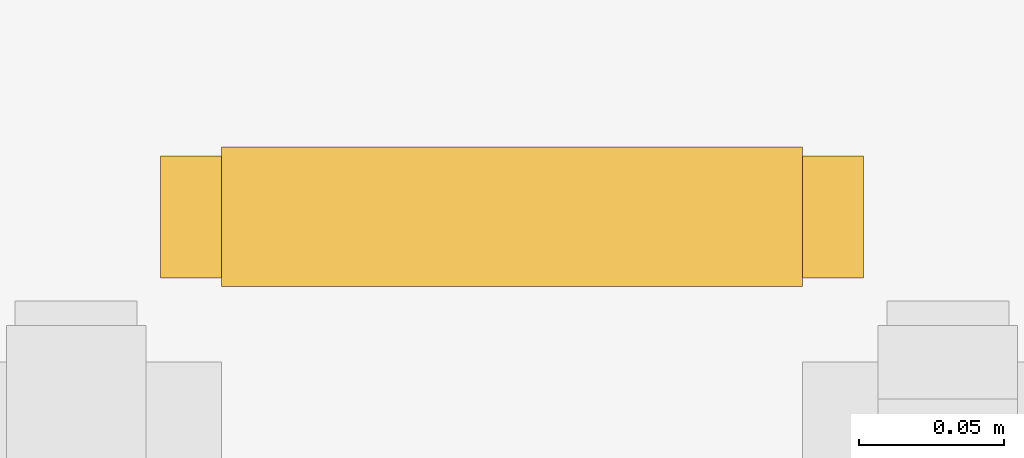
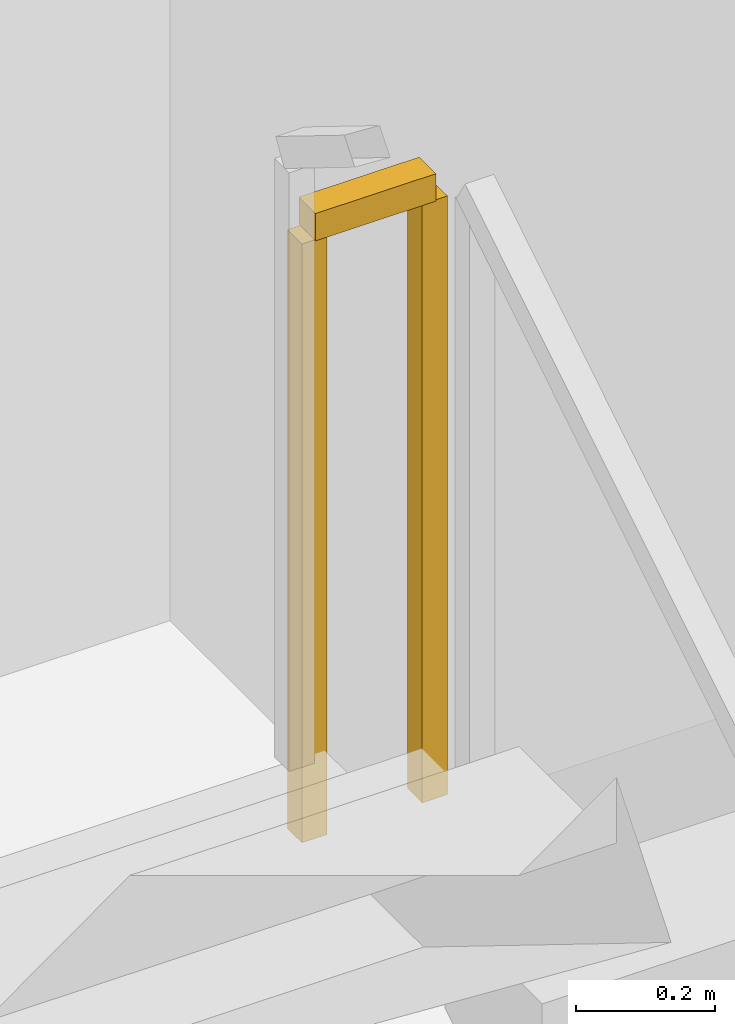
# One storey, part 17 of 23: 1 railing.
"""IFC4 building model written with IfcOpenShell, lengths in metres."""

from ifc_helpers import new_model, si_unit, direction, frame, origin, origin_2d, place, context, subcontext, project, spatial, rectangle, extrude, material, type_object, element, save


model = new_model("IFC4")

# Units and contexts
model_context = context("Model", 3, precision=1e-05, world=origin(), true_north=direction((0.0, 1.0)))
body_context = subcontext(model_context, "Body", "Model", "MODEL_VIEW")
ifc_project = project(units=[si_unit("LENGTHUNIT", "METRE"), si_unit("AREAUNIT", "SQUARE_METRE"), si_unit("VOLUMEUNIT", "CUBIC_METRE"), si_unit("PLANEANGLEUNIT", "RADIAN"), si_unit("MASSUNIT", "GRAM", prefix="KILO")], contexts=[model_context])

# Site, building, storey
site_placement = place(None, origin())
site = spatial("IfcSite", under=ifc_project, at=site_placement, CompositionType="ELEMENT")
building_placement = place(site_placement, origin())
building = spatial("IfcBuilding", under=site, at=building_placement, Name="Kiyonajd Concourse Tower", CompositionType="ELEMENT")
storey_placement = place(building_placement, frame((0.0, 0.0, -9.0)))
storey = spatial("IfcBuildingStorey", under=building, at=storey_placement, Name="B2", CompositionType="ELEMENT", Elevation=-9.0)

# Railing
ifc_material = material(Name="Steel ASTM A500 Grade C", Category="steel")
railing_type = type_object("IfcRailingType", Name="RL-GRD-STR", PredefinedType="GUARDRAIL", material=ifc_material)
railing_placement = place(storey_placement, frame((11.300048828125, 33.06005859375, 2.25)))
element("IfcRailing", 1, at=railing_placement, inside=storey, type_object=railing_type, Name="B2 ST4 stair guard 2", PredefinedType="GUARDRAIL", context=body_context, shape_type="SweptSolid", body=[
    extrude(rectangle(XDim=0.048095703125, YDim=0.048095703125, at=origin_2d()), frame((0.0, 0.0, 1.076171875), z_axis=(-1.0, 0.0, 0.0), x_axis=(0.0, -1.0, 0.0)), (0.0, 0.0, 1.0), 0.199951171875),
    extrude(rectangle(XDim=0.0419921875, YDim=0.0419921875, at=origin_2d()), origin(), (0.0, 0.0, 1.0), 1.052001953125),
    extrude(rectangle(XDim=0.0419921875, YDim=0.0419921875, at=origin_2d()), frame((-0.199951171875, 0.0, 0.0)), (0.0, 0.0, 1.0), 1.052001953125),
])

save(model, "model.ifc")
